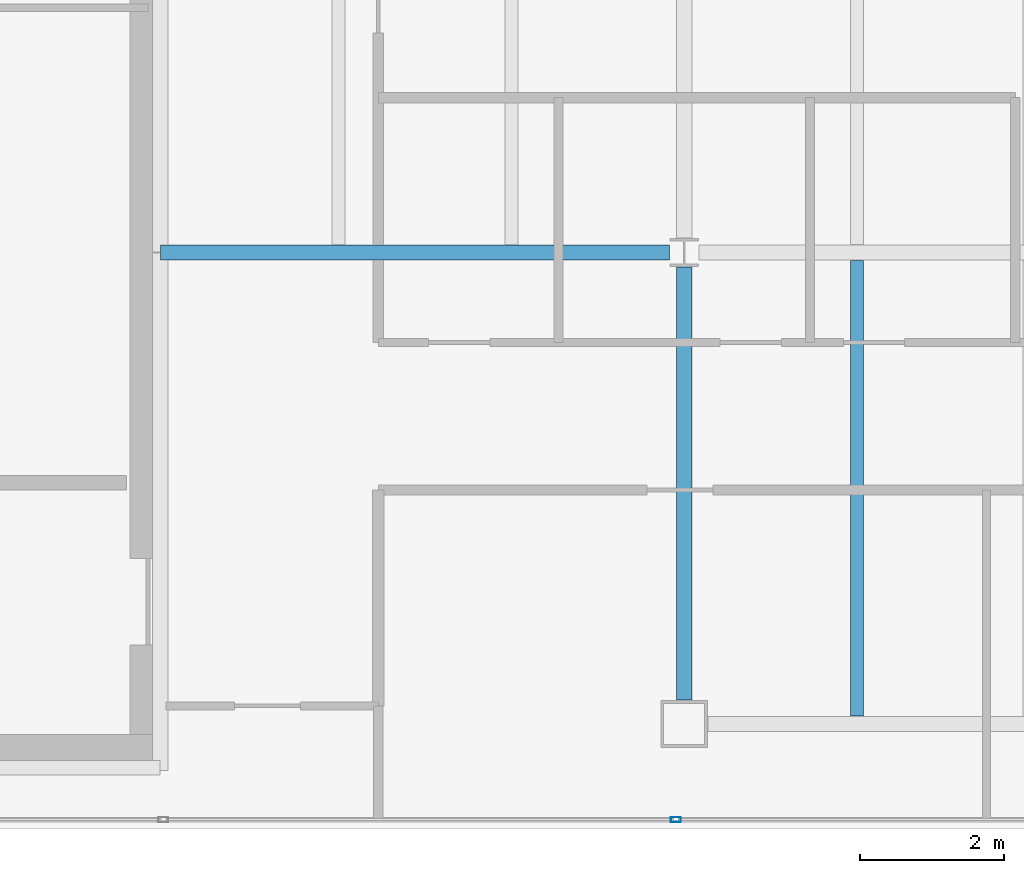
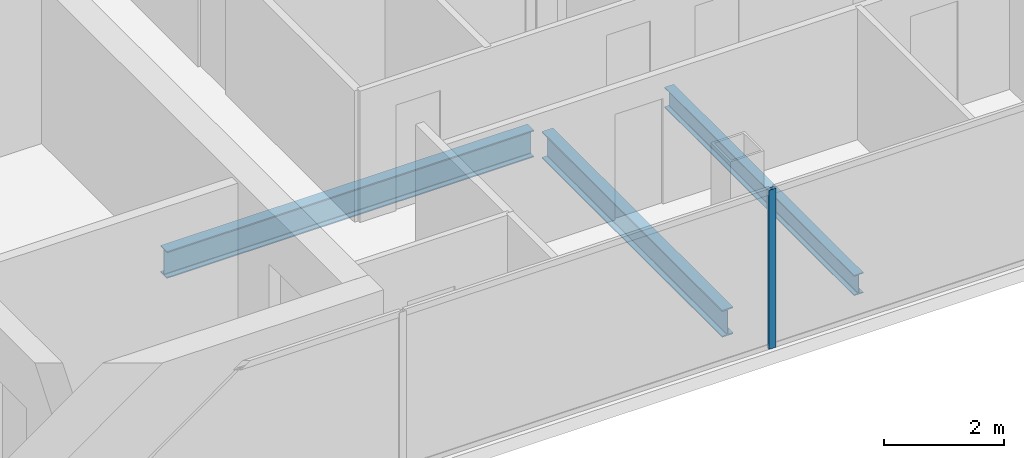
# One storey, part 5 of 23: 3 beams, 1 member, 1 element without a shape of its own.
"""IFC4 building model written with IfcOpenShell, lengths in metres."""

from ifc_helpers import new_model, si_unit, direction, frame, origin, origin_2d, place, context, subcontext, project, spatial, hollow_rectangle, i_section, extrude, material, material_profile, profile_set, type_object, element, aggregate, save


model = new_model("IFC4")

# Units and contexts
model_context = context("Model", 3, precision=1e-05, world=origin(), true_north=direction((0.0, 1.0)))
body_context = subcontext(model_context, "Body", "Model", "MODEL_VIEW")
ifc_project = project(units=[si_unit("LENGTHUNIT", "METRE"), si_unit("AREAUNIT", "SQUARE_METRE"), si_unit("VOLUMEUNIT", "CUBIC_METRE"), si_unit("PLANEANGLEUNIT", "RADIAN"), si_unit("MASSUNIT", "GRAM", prefix="KILO")], contexts=[model_context])

# Site, building, storey
site_placement = place(None, origin())
site = spatial("IfcSite", under=ifc_project, at=site_placement, CompositionType="ELEMENT")
building_placement = place(site_placement, origin())
building = spatial("IfcBuilding", under=site, at=building_placement, Name="Cobrela Telecom Tower", CompositionType="ELEMENT")
storey_placement = place(building_placement, frame((0.0, 0.0, 272.64990234375)))
storey = spatial("IfcBuildingStorey", under=building, at=storey_placement, Name="L71", CompositionType="ELEMENT", Elevation=272.64990234375)

# Beams
ifc_material_1 = material(Name="Steel ASTM A992 Grade 50", Category="steel")
ifc_material_profile_1 = material_profile(ifc_material_1, i_section(OverallWidth=0.212890625, OverallDepth=0.549072265625, WebThickness=0.0146484375, FlangeThickness=0.023681640625, FilletRadius=0.013916015625, at=origin_2d()), Name="W21X93")
ifc_profile_set_1 = profile_set([ifc_material_profile_1], Name="Steel ASTM A992 Grade 50")
beam_type_1 = type_object("IfcBeamType", Name="BM-GIRD-08", PredefinedType="USERDEFINED", material=ifc_profile_set_1)
beam_1_placement = place(storey_placement, frame((14.324951171875, 14.39990234375, -0.534423828125), z_axis=(1.0, 0.0, 0.0), x_axis=(0.0, 1.0, 0.0)))
element("IfcBeam", 1, at=beam_1_placement, inside=storey, type_object=beam_type_1, Name="L71 Primary Girder X05", ObjectType="GIRDER", PredefinedType="USERDEFINED", context=body_context, shape_type="SweptSolid", body=[
    extrude(i_section(OverallWidth=0.212890625, OverallDepth=0.549072265625, WebThickness=0.0146484375, FlangeThickness=0.023681640625, FilletRadius=0.013916015625, at=origin_2d()), origin(), (0.0, 0.0, 1.0), 7.070556640625),
])
beam_2_placement = place(storey_placement, frame((21.60009765625, 8.179931640625, -0.534423828125), z_axis=(0.0, 1.0, 0.0), x_axis=(-1.0, 0.0, 0.0)))
element("IfcBeam", 2, at=beam_2_placement, inside=storey, type_object=beam_type_1, Name="L71 Primary Girder Y27", ObjectType="GIRDER", PredefinedType="USERDEFINED", context=body_context, shape_type="SweptSolid", body=[
    extrude(i_section(OverallWidth=0.212890625, OverallDepth=0.549072265625, WebThickness=0.0146484375, FlangeThickness=0.023681640625, FilletRadius=0.013916015625, at=origin_2d()), origin(), (0.0, 0.0, 1.0), 6.015625),
])
ifc_material_profile_2 = material_profile(ifc_material_1, i_section(OverallWidth=0.179931640625, OverallDepth=0.4169921875, WebThickness=0.010986328125, FlangeThickness=0.01806640625, FilletRadius=0.011962890625, at=origin_2d()), Name="W16X57")
ifc_profile_set_2 = profile_set([ifc_material_profile_2], Name="Steel ASTM A992 Grade 50")
beam_type_2 = type_object("IfcBeamType", Name="BM-JOIST-04", PredefinedType="JOIST", material=ifc_profile_set_2)
beam_3_placement = place(storey_placement, frame((24.0, 7.96142578125, -0.468505859375), z_axis=(0.0, 1.0, 0.0), x_axis=(-1.0, 0.0, 0.0)))
element("IfcBeam", 3, at=beam_3_placement, inside=storey, type_object=beam_type_2, Name="L71 Secondary Composite Floor Beam J07", PredefinedType="JOIST", context=body_context, shape_type="SweptSolid", body=[
    extrude(i_section(OverallWidth=0.179931640625, OverallDepth=0.4169921875, WebThickness=0.010986328125, FlangeThickness=0.01806640625, FilletRadius=0.011962890625, at=origin_2d()), origin(), (0.0, 0.0, 1.0), 6.3271484375),
])

# Curtain wall, member
ifc_material_2 = material(Name="Anodized Bronze Aluminium 6063-T6", Category="aluminium")
curtain_wall_type = type_object("IfcCurtainWallType", Name="CW-SYS-OFF-HI", PredefinedType="USERDEFINED", material=ifc_material_2)
curtain_wall_placement = place(storey_placement, origin())
curtain_wall = element("IfcCurtainWall", 4, at=curtain_wall_placement, inside=storey, type_object=curtain_wall_type, Name="L71 Unitised Bronze Curtain Wall 15", ObjectType="UNITISED CURTAIN WALL", PredefinedType="USERDEFINED")
ifc_material_profile_3 = material_profile(ifc_material_2, hollow_rectangle(XDim=0.070068359375, YDim=0.139892578125, WallThickness=0.00390625, at=origin_2d()), Name="ALU 70x140x4")
ifc_profile_set_3 = profile_set([ifc_material_profile_3], Name="Anodized Bronze Aluminium 6063-T6")
member_type = type_object("IfcMemberType", Name="CW-SYS-OFF-HI-MUL", PredefinedType="MULLION", material=ifc_profile_set_3)
member_placement = place(storey_placement, frame((21.485107421875, 6.52001953125, 0.0), z_axis=(0.0, 0.0, 1.0), x_axis=(0.0, -1.0, 0.0)))
member = element("IfcMember", 5, at=member_placement, type_object=member_type, Name="CW-OFF-HI mullion 4", PredefinedType="MULLION", context=body_context, shape_type="SweptSolid", body=[
    extrude(hollow_rectangle(XDim=0.070068359375, YDim=0.139892578125, WallThickness=0.00390625, at=origin_2d()), origin(), (0.0, 0.0, 1.0), 3.239990234375),
])
aggregate(curtain_wall, [member])

save(model, "model.ifc")
